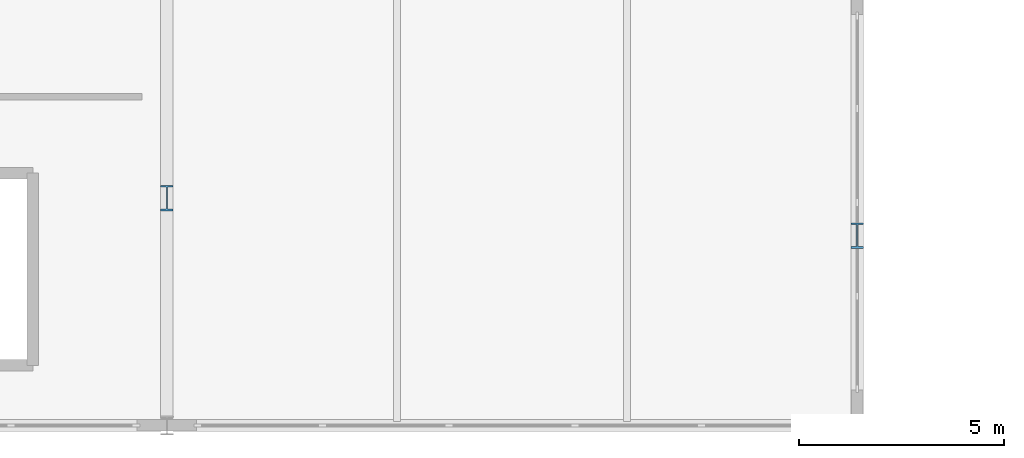
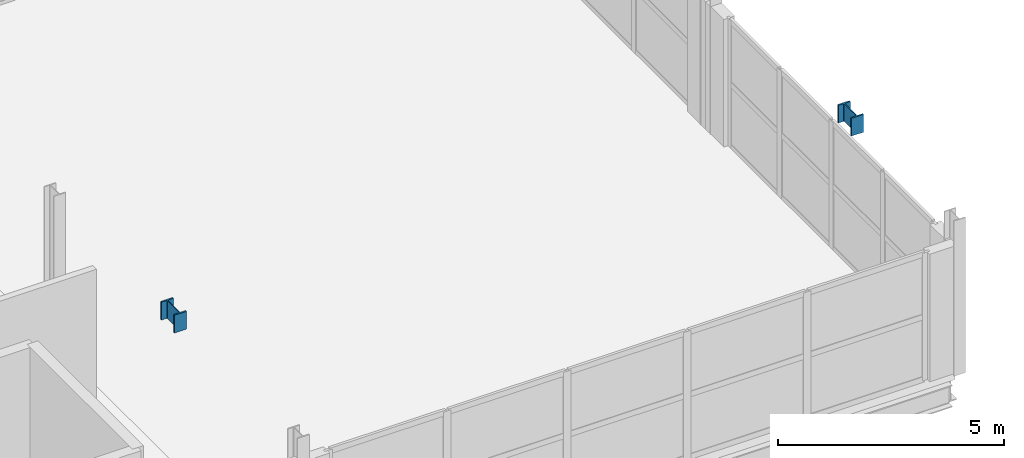
# One storey, part 25 of 39: 2 members.
"""IFC4 building model written with IfcOpenShell, lengths in metres."""

from ifc_helpers import new_model, si_unit, direction, frame, origin, origin_2d, place, context, subcontext, project, spatial, i_section, extrude, material, material_profile, profile_set, type_object, element, save


model = new_model("IFC4")

# Units and contexts
model_context = context("Model", 3, precision=1e-05, world=origin(), true_north=direction((0.0, 1.0)))
body_context = subcontext(model_context, "Body", "Model", "MODEL_VIEW")
ifc_project = project(units=[si_unit("LENGTHUNIT", "METRE"), si_unit("AREAUNIT", "SQUARE_METRE"), si_unit("VOLUMEUNIT", "CUBIC_METRE"), si_unit("PLANEANGLEUNIT", "RADIAN"), si_unit("MASSUNIT", "GRAM", prefix="KILO")], contexts=[model_context])

# Site, building, storey
site_placement = place(None, origin())
site = spatial("IfcSite", under=ifc_project, at=site_placement, CompositionType="ELEMENT")
building_placement = place(site_placement, origin())
building = spatial("IfcBuilding", under=site, at=building_placement, Name="Kimbaza Rail Terminus", CompositionType="ELEMENT")
storey_placement = place(building_placement, frame((0.0, 0.0, 16.800048828125)))
storey = spatial("IfcBuildingStorey", under=building, at=storey_placement, Name="L03", CompositionType="ELEMENT", Elevation=16.800048828125)

# Members
ifc_material = material(Name="Steel S355", Category="steel")
ifc_material_profile = material_profile(ifc_material, i_section(OverallWidth=0.304931640625, OverallDepth=0.6201171875, WebThickness=0.02099609375, FlangeThickness=0.0400390625, FilletRadius=0.027099609375, at=origin_2d()), Name="HEM 600")
ifc_profile_set = profile_set([ifc_material_profile], Name="Steel S355")
member_type = type_object("IfcMemberType", Name="STR-MB-HEM600", PredefinedType="POST", material=ifc_profile_set)
for number, where, z_axis, x_axis, name in (
    (1, (139.199951171875, 85.734375, 3.75), (0.0, 0.0, 1.0), (1.0, 0.0, 0.0), "Vault Bridge-Roof Header Pedestal VP-08"),
    (2, (156.0, 84.822509765625, 3.75), (0.0, 0.0, 1.0), (1.0, 0.0, 0.0), "Vault Bridge-Roof Header Pedestal VP-09"),
):
    element("IfcMember", number, at=place(storey_placement, frame(where, z_axis=z_axis, x_axis=x_axis)), inside=storey, type_object=member_type, Name=name, PredefinedType="POST", context=body_context, shape_type="SweptSolid", body=[
        extrude(i_section(OverallWidth=0.304931640625, OverallDepth=0.6201171875, WebThickness=0.02099609375, FlangeThickness=0.0400390625, FilletRadius=0.027099609375, at=origin_2d()), origin(), (0.0, 0.0, 1.0), 0.48095703125),
    ])

save(model, "model.ifc")
